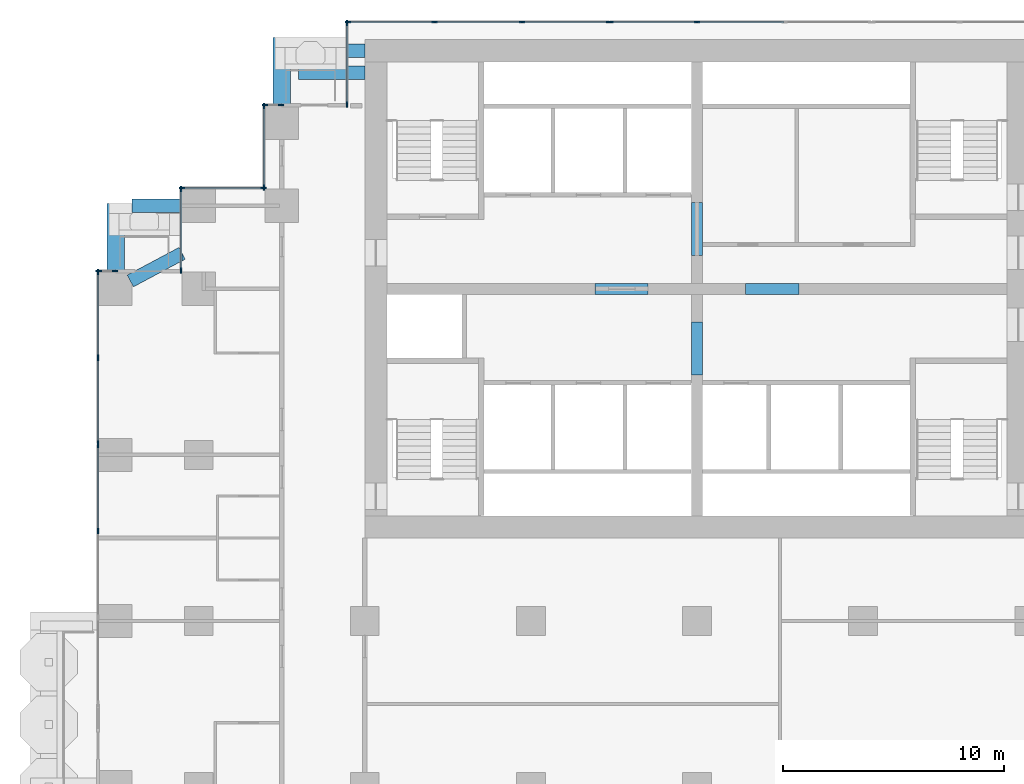
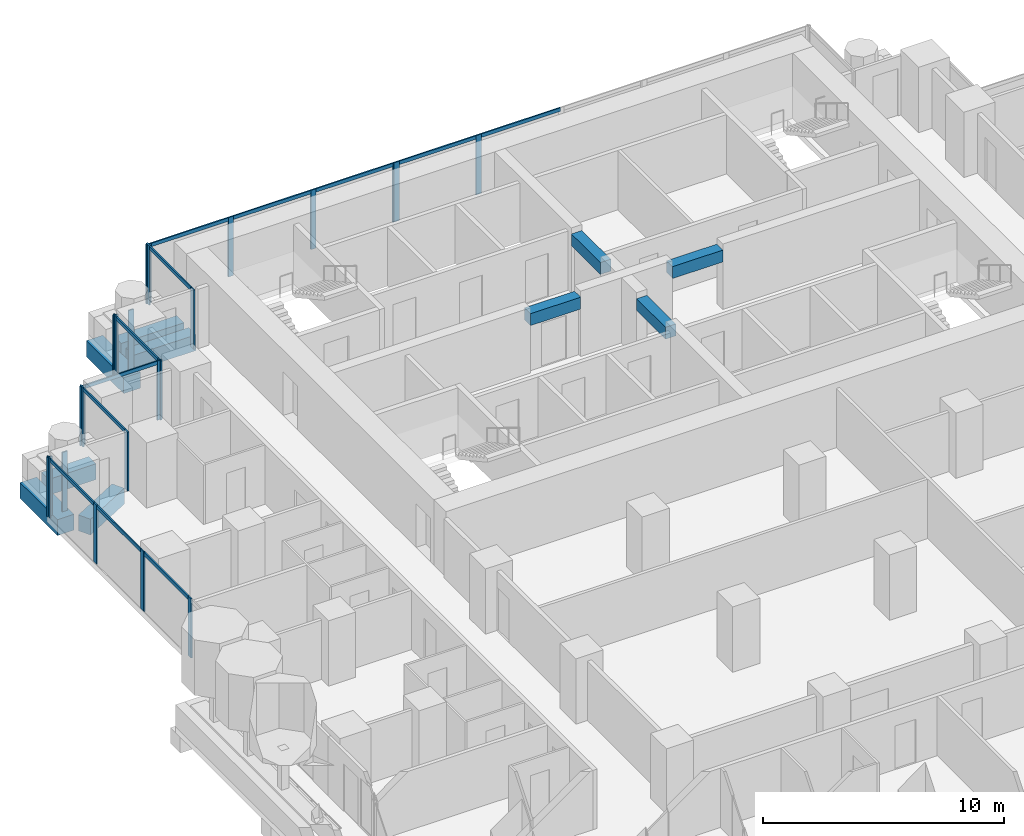
# One storey, part 5 of 19: 35 members, 10 beams, 10 elements without a shape of their own.
"""IFC4 building model written with IfcOpenShell, lengths in metres."""

import ifcopenshell
import ifcopenshell.guid

model = None  # the IFC model being written
_history = None  # IfcOwnerHistory: only IFC2X3 demands one
_inside = {}  # id of a spatial element -> (the spatial element, [elements in it])
_under = {}  # id of a project, library or spatial element -> (it, [spatial elements below it])
_declared = {}  # id of a project -> (the project, [libraries it declares])
_typed = {}  # id of a type object -> (the type object, [elements of that type])
_made_of = {}  # id of a material, layer set ... -> (it, [elements and type objects made of it])


def new_model(schema):
    """Start an empty IFC model of exactly this schema.

    Asked for "IFC4X3", IfcOpenShell would pick the latest addendum, in which some entities
    have other attributes; the version numbers below select the first issue.
    IFC2X3 requires an IfcOwnerHistory on every rooted entity: one is made here for all.
    """
    global model, _history
    if schema == "IFC4X3":
        model = ifcopenshell.file(schema_version=(4, 3, 0, 0))
    else:
        model = ifcopenshell.file(schema=schema)
    _inside.clear()
    _under.clear()
    _declared.clear()
    _typed.clear()
    _made_of.clear()
    _history = None
    if model.schema == "IFC2X3":
        org = make("IfcOrganization", Name="unknown")
        user = make(
            "IfcPersonAndOrganization",
            ThePerson=make("IfcPerson", FamilyName="unknown"),
            TheOrganization=org,
        )
        app = make(
            "IfcApplication",
            ApplicationDeveloper=org,
            Version="unknown",
            ApplicationFullName="unknown",
            ApplicationIdentifier="unknown",
        )
        _history = make(
            "IfcOwnerHistory",
            OwningUser=user,
            OwningApplication=app,
            ChangeAction="ADDED",
            CreationDate=0,
        )
    return model


def make(cls, **values):
    """One entity of the class cls with the attributes given. An attribute that is None is left unset."""
    return model.create_entity(
        cls, **{name: value for name, value in values.items() if value is not None}
    )


def rooted(cls, **values):
    """An entity with a GlobalId (a new one), such as an element, a storey or a relation."""
    return make(cls, GlobalId=ifcopenshell.guid.new(), OwnerHistory=_history, **values)


def si_unit(unit_type, name, prefix=None):
    """IfcSIUnit, for example si_unit("LENGTHUNIT", "METRE", prefix="MILLI")."""
    return make("IfcSIUnit", UnitType=unit_type, Prefix=prefix, Name=name)


def assignment(units):
    """IfcUnitAssignment: the units of a project."""
    return None if units is None else make("IfcUnitAssignment", Units=units)


def point(xyz):
    """IfcCartesianPoint."""
    return None if xyz is None else make("IfcCartesianPoint", Coordinates=xyz)


def direction(xyz):
    """IfcDirection."""
    return None if xyz is None else make("IfcDirection", DirectionRatios=xyz)


def frame(location, z_axis=None, x_axis=None):
    """IfcAxis2Placement3D, a coordinate frame: its origin and axes. An axis left out is left unset."""
    return make(
        "IfcAxis2Placement3D",
        Location=point(location),
        Axis=direction(z_axis),
        RefDirection=direction(x_axis),
    )


def frame_2d(location, x_axis=None):
    """IfcAxis2Placement2D, a coordinate frame in the plane: its origin and x axis."""
    return make(
        "IfcAxis2Placement2D", Location=point(location), RefDirection=direction(x_axis)
    )


def origin():
    """The frame at (0, 0, 0) with its axes left unset."""
    return frame((0.0, 0.0, 0.0))


def origin_2d():
    """The frame at (0, 0) in the plane with its x axis left unset."""
    return frame_2d((0.0, 0.0))


def place(relative_to, where):
    """IfcLocalPlacement: puts the frame where relative to a parent placement (None: the world)."""
    return make(
        "IfcLocalPlacement", PlacementRelTo=relative_to, RelativePlacement=where
    )


def context(
    kind, dimensions, precision=None, world=None, true_north=None, identifier=None
):
    """IfcGeometricRepresentationContext, for example the 3D "Model" context."""
    return make(
        "IfcGeometricRepresentationContext",
        ContextIdentifier=identifier,
        ContextType=kind,
        CoordinateSpaceDimension=dimensions,
        Precision=precision,
        WorldCoordinateSystem=world,
        TrueNorth=true_north,
    )


def subcontext(parent, identifier, kind, view, scale=None):
    """IfcGeometricRepresentationSubContext, for example "Body" below "Model"."""
    return make(
        "IfcGeometricRepresentationSubContext",
        ContextIdentifier=identifier,
        ContextType=kind,
        ParentContext=parent,
        TargetScale=scale,
        TargetView=view,
    )


def project(units=None, contexts=None):
    """IfcProject with its units and contexts."""
    return rooted(
        "IfcProject",
        Name="project",
        RepresentationContexts=contexts,
        UnitsInContext=assignment(units),
    )


def spatial(cls, under=None, at=None, **own):
    """A site, building, storey or space (cls), placed at a placement, below another one or the project."""
    s = rooted(cls, ObjectPlacement=at, **own)
    if under is not None:
        _under.setdefault(under.id(), (under, []))[1].append(s)
    return s


def profile(cls, at=None, kind="AREA", **sizes):
    """A parametric profile (cls). Its sizes go by their IFC names, for example OverallWidth=200.0."""
    return make(cls, ProfileType=kind, Position=at, **sizes)


def rectangle(**sizes):
    """IfcRectangleProfileDef."""
    return profile("IfcRectangleProfileDef", **sizes)


def extrude(swept, where, along, depth):
    """IfcExtrudedAreaSolid: the profile swept, set in the frame where, extruded along a direction by depth."""
    return make(
        "IfcExtrudedAreaSolid",
        SweptArea=swept,
        Position=where,
        ExtrudedDirection=direction(along),
        Depth=depth,
    )


def shape(context_of_items, identifier, shape_type, items):
    """IfcShapeRepresentation: the items that make up one representation, for example the "Body"."""
    return make(
        "IfcShapeRepresentation",
        ContextOfItems=context_of_items,
        RepresentationIdentifier=identifier,
        RepresentationType=shape_type,
        Items=items,
    )


def material(Name=None, Category=None):
    """IfcMaterial."""
    return make("IfcMaterial", Name=Name, Category=Category)


def material_profile(
    of_material, cross_section, Name=None, Category=None, Priority=None
):
    """IfcMaterialProfile: a cross section and its material."""
    return make(
        "IfcMaterialProfile",
        Name=Name,
        Material=of_material,
        Profile=cross_section,
        Priority=Priority,
        Category=Category,
    )


def profile_set(profiles, Name=None, composite=None):
    """IfcMaterialProfileSet."""
    return make(
        "IfcMaterialProfileSet",
        Name=Name,
        MaterialProfiles=profiles,
        CompositeProfile=composite,
    )


def made_of(thing, what):
    """Note that an element or type object is made of a material, layer set ...; save() writes the relation."""
    if what is not None:
        _made_of.setdefault(what.id(), (what, []))[1].append(thing)
    return thing


def type_object(cls, material=None, **own):
    """A type object (cls), such as IfcWallType, which elements share."""
    return made_of(rooted(cls, **own), material)


def element(
    cls,
    number,
    at=None,
    inside=None,
    cuts=None,
    type_object=None,
    material=None,
    context=None,
    identifier="Body",
    shape_type=None,
    held_by="IfcProductDefinitionShape",
    body=None,
    shapes=None,
    **own,
):
    """One element of the class cls, such as IfcWall. Its Tag is "e" and its number.

    at: its placement. inside: the storey or other place that contains it. cuts: it is an
    opening in that element (IfcRelVoidsElement). A single representation is given by context,
    identifier, shape_type and body (its items); several are given by shapes. held_by: the class
    of the entity that holds the representations. save() writes the other relations.
    """
    e = rooted(cls, Tag="e%d" % number, ObjectPlacement=at, **own)
    if body is not None:
        shapes = [shape(context, identifier, shape_type, body)]
    if shapes is not None:
        e.Representation = make(held_by, Representations=shapes)
    if inside is not None:
        _inside.setdefault(inside.id(), (inside, []))[1].append(e)
    if cuts is not None:
        rooted(
            "IfcRelVoidsElement", RelatingBuildingElement=cuts, RelatedOpeningElement=e
        )
    if type_object is not None:
        _typed.setdefault(type_object.id(), (type_object, []))[1].append(e)
    return made_of(e, material)


def aggregate(whole, parts):
    """IfcRelAggregates: a whole, such as a stair, and the parts it consists of."""
    return rooted("IfcRelAggregates", RelatingObject=whole, RelatedObjects=parts)


def save(model, path):
    """Write the relations noted so far, then the file.

    IfcRelAggregates (storeys below a building ...), IfcRelContainedInSpatialStructure (elements
    in a storey), IfcRelDefinesByType, IfcRelAssociatesMaterial and IfcRelDeclares: one each for
    every whole, place, type object, material and project.
    """
    for whole, parts in _under.values():
        aggregate(whole, parts)
    for where, things in _inside.values():
        rooted(
            "IfcRelContainedInSpatialStructure",
            RelatedElements=things,
            RelatingStructure=where,
        )
    for kind, things in _typed.values():
        rooted("IfcRelDefinesByType", RelatedObjects=things, RelatingType=kind)
    for what, things in _made_of.values():
        rooted("IfcRelAssociatesMaterial", RelatedObjects=things, RelatingMaterial=what)
    for by, libraries in _declared.values():
        rooted("IfcRelDeclares", RelatingContext=by, RelatedDefinitions=libraries)
    model.write(path)


model = new_model("IFC4")

# Units and contexts
model_context = context("Model", 3, precision=1e-05, world=origin(), true_north=direction((0.0, 1.0)))
body_context = subcontext(model_context, "Body", "Model", "MODEL_VIEW")
ifc_project = project(units=[si_unit("LENGTHUNIT", "METRE"), si_unit("AREAUNIT", "SQUARE_METRE"), si_unit("VOLUMEUNIT", "CUBIC_METRE"), si_unit("PLANEANGLEUNIT", "RADIAN"), si_unit("MASSUNIT", "GRAM", prefix="KILO")], contexts=[model_context])

# Site, building, storey
site_placement = place(None, origin())
site = spatial("IfcSite", under=ifc_project, at=site_placement, CompositionType="ELEMENT")
building_placement = place(site_placement, origin())
building = spatial("IfcBuilding", under=site, at=building_placement, Name="Pilkhan Gate Tower", CompositionType="ELEMENT")
storey_placement = place(building_placement, frame((0.0, 0.0, 59.300048828125)))
storey = spatial("IfcBuildingStorey", under=building, at=storey_placement, Name="L12", CompositionType="ELEMENT", Elevation=59.300048828125)

# Beams
ifc_material_1 = material(Name="Concrete C50/60", Category="concrete")
ifc_material_profile_1 = material_profile(ifc_material_1, rectangle(XDim=0.60009765625, YDim=0.800048828125, at=origin_2d()), Name="RC 600x800")
ifc_profile_set_1 = profile_set([ifc_material_profile_1], Name="Concrete C50/60")
beam_type_1 = type_object("IfcBeamType", Name="Cantilever beam CB1 RC 600x800 C50/60", PredefinedType="BEAM", material=ifc_profile_set_1)
for number, where, z_axis, x_axis, name in (
    (1, (60.0, 93.25, -0.699951171875), (-1.0, 0.0, 0.0), (0.0, -1.0, 0.0), "Balcony beam NW.2 L12"),
    (2, (60.0, 92.25, -0.699951171875), (-1.0, 0.0, 0.0), (0.0, -1.0, 0.0), "Balcony beam NW.3 L12"),
):
    element("IfcBeam", number, at=place(storey_placement, frame(where, z_axis=z_axis, x_axis=x_axis)), inside=storey, type_object=beam_type_1, Name=name, PredefinedType="BEAM", context=body_context, shape_type="SweptSolid", body=[
        extrude(rectangle(XDim=0.60009765625, YDim=0.800048828125, at=origin_2d()), origin(), (0.0, 0.0, 1.0), 3.0),
    ])
beam_1_placement = place(storey_placement, frame((51.75, 86.25, -0.699951171875), z_axis=(-1.0, 0.0, 0.0), x_axis=(0.0, -1.0, 0.0)))
element("IfcBeam", 3, at=beam_1_placement, inside=storey, type_object=beam_type_1, Name="Balcony beam NW2.2 L12", PredefinedType="BEAM", context=body_context, shape_type="SweptSolid", body=[
    extrude(rectangle(XDim=0.60009765625, YDim=0.800048828125, at=origin_2d()), origin(), (0.0, 0.0, 1.0), 2.25),
])
beam_2_placement = place(storey_placement, frame((49.411865234375, 82.85302734375, -0.699951171875), z_axis=(0.882342739565, 0.470607362817, 0.0), x_axis=(-0.470607362817, 0.882342739565, 0.0)))
element("IfcBeam", 4, at=beam_2_placement, inside=storey, type_object=beam_type_1, Name="Balcony beam NW2.3 L12", PredefinedType="BEAM", context=body_context, shape_type="SweptSolid", body=[
    extrude(rectangle(XDim=0.60009765625, YDim=0.800048828125, at=origin_2d()), origin(), (0.0, 0.0, 1.0), 2.64990234375),
])
ifc_material_profile_2 = material_profile(ifc_material_1, rectangle(XDim=0.800048828125, YDim=0.800048828125, at=origin_2d()), Name="RC 800x800")
ifc_profile_set_2 = profile_set([ifc_material_profile_2], Name="Concrete C50/60")
beam_type_2 = type_object("IfcBeamType", Name="Cantilever beam CB2 RC 800x800 C50/60", PredefinedType="BEAM", material=ifc_profile_set_2)
for number, where, z_axis, x_axis, name in (
    (5, (56.25, 90.75, -0.699951171875), (0.0, 1.0, 0.0), (-1.0, 0.0, 0.0), "Balcony beam NW.1 L12"),
    (6, (48.75, 83.25, -0.699951171875), (0.0, 1.0, 0.0), (-1.0, 0.0, 0.0), "Balcony beam NW2.1 L12"),
):
    element("IfcBeam", number, at=place(storey_placement, frame(where, z_axis=z_axis, x_axis=x_axis)), inside=storey, type_object=beam_type_2, Name=name, PredefinedType="BEAM", context=body_context, shape_type="SweptSolid", body=[
        extrude(rectangle(XDim=0.800048828125, YDim=0.800048828125, at=origin_2d()), origin(), (0.0, 0.0, 1.0), 3.10009765625),
    ])
ifc_material_2 = material(Name="Concrete C70/85", Category="concrete")
ifc_material_profile_3 = material_profile(ifc_material_2, rectangle(XDim=0.5, YDim=0.60009765625, at=origin_2d()), Name="RC 500x600")
ifc_profile_set_3 = profile_set([ifc_material_profile_3], Name="Concrete C70/85")
beam_type_3 = type_object("IfcBeamType", Name="Coupling beam CB60 RC 500x600 C70/85", PredefinedType="LINTEL", material=ifc_profile_set_3)
for number, where, z_axis, x_axis, name in (
    (7, (70.39990234375, 82.5, 2.699951171875), (1.0, 0.0, 0.0), (0.0, 1.0, 0.0), "Coupling beam 1 L12"),
    (8, (77.199951171875, 82.5, 2.699951171875), (1.0, 0.0, 0.0), (0.0, 1.0, 0.0), "Coupling beam 2 L12"),
):
    element("IfcBeam", number, at=place(storey_placement, frame(where, z_axis=z_axis, x_axis=x_axis)), inside=storey, type_object=beam_type_3, Name=name, PredefinedType="LINTEL", context=body_context, shape_type="SweptSolid", body=[
        extrude(rectangle(XDim=0.5, YDim=0.60009765625, at=origin_2d()), origin(), (0.0, 0.0, 1.0), 2.400146484375),
    ])
for number, where, z_axis, x_axis, name in (
    (9, (75.0, 78.60009765625, 2.699951171875), (0.0, 1.0, 0.0), (-1.0, 0.0, 0.0), "Coupling beam 3 L12"),
    (10, (75.0, 84.0, 2.699951171875), (0.0, 1.0, 0.0), (-1.0, 0.0, 0.0), "Coupling beam 4 L12"),
):
    element("IfcBeam", number, at=place(storey_placement, frame(where, z_axis=z_axis, x_axis=x_axis)), inside=storey, type_object=beam_type_3, Name=name, PredefinedType="LINTEL", context=body_context, shape_type="SweptSolid", body=[
        extrude(rectangle(XDim=0.5, YDim=0.60009765625, at=origin_2d()), origin(), (0.0, 0.0, 1.0), 2.39990234375),
    ])

# Curtain wall, members
ifc_material_3 = material(Name="Pale anodised aluminium, clear low-iron double glazing", Category="aluminium")
curtain_wall_type = type_object("IfcCurtainWallType", Name="Hotel unitised curtain wall CW-H", PredefinedType="USERDEFINED", material=ifc_material_3)
curtain_wall_1_placement = place(storey_placement, origin())
curtain_wall_1 = element("IfcCurtainWall", 11, at=curtain_wall_1_placement, inside=storey, type_object=curtain_wall_type, Name="Hotel unitised curtain wall CW-H L12 N", ObjectType="UNITISED CURTAIN WALL", PredefinedType="USERDEFINED")
ifc_material_4 = material(Name="Pale anodised aluminium", Category="aluminium")
ifc_material_profile_4 = material_profile(ifc_material_4, rectangle(XDim=0.06494140625, YDim=0.25, at=origin_2d()), Name="Mullion 250x65")
ifc_profile_set_4 = profile_set([ifc_material_profile_4], Name="Pale anodised aluminium")
member_type_1 = type_object("IfcMemberType", Name="Mullion CW-H 250x65", PredefinedType="MULLION", material=ifc_profile_set_4)
member_1_placement = place(storey_placement, frame((59.237548828125, 94.544921875, 0.0), z_axis=(0.0, 0.0, 1.0), x_axis=(0.0, 1.0, 0.0)))
member_1 = element("IfcMember", 12, at=member_1_placement, type_object=member_type_1, Name="CW-H mullion 1", PredefinedType="MULLION", context=body_context, shape_type="SweptSolid", body=[
    extrude(rectangle(XDim=0.06494140625, YDim=0.25, at=origin_2d()), origin(), (0.0, 0.0, 1.0), 3.0),
])
member_2_placement = place(storey_placement, frame((63.15380859375, 94.544921875, 0.0), z_axis=(0.0, 0.0, 1.0), x_axis=(0.0, 1.0, 0.0)))
member_2 = element("IfcMember", 13, at=member_2_placement, type_object=member_type_1, Name="CW-H mullion 2", PredefinedType="MULLION", context=body_context, shape_type="SweptSolid", body=[
    extrude(rectangle(XDim=0.06494140625, YDim=0.25, at=origin_2d()), origin(), (0.0, 0.0, 1.0), 3.0),
])
member_3_placement = place(storey_placement, frame((67.1025390625, 94.544921875, 0.0), z_axis=(0.0, 0.0, 1.0), x_axis=(0.0, 1.0, 0.0)))
member_3 = element("IfcMember", 14, at=member_3_placement, type_object=member_type_1, Name="CW-H mullion 3", PredefinedType="MULLION", context=body_context, shape_type="SweptSolid", body=[
    extrude(rectangle(XDim=0.06494140625, YDim=0.25, at=origin_2d()), origin(), (0.0, 0.0, 1.0), 3.0),
])
member_4_placement = place(storey_placement, frame((71.018798828125, 94.544921875, 0.0), z_axis=(0.0, 0.0, 1.0), x_axis=(0.0, 1.0, 0.0)))
member_4 = element("IfcMember", 15, at=member_4_placement, type_object=member_type_1, Name="CW-H mullion 4", PredefinedType="MULLION", context=body_context, shape_type="SweptSolid", body=[
    extrude(rectangle(XDim=0.06494140625, YDim=0.25, at=origin_2d()), origin(), (0.0, 0.0, 1.0), 3.0),
])

curtain_wall_2_placement = place(storey_placement, origin())
curtain_wall_2 = element("IfcCurtainWall", 16, at=curtain_wall_2_placement, inside=storey, type_object=curtain_wall_type, Name="Hotel unitised curtain wall CW-H L12 N", ObjectType="UNITISED CURTAIN WALL", PredefinedType="USERDEFINED")
member_5_placement = place(storey_placement, frame((71.083740234375, 94.544921875, 0.0), z_axis=(0.0, 0.0, 1.0), x_axis=(0.0, 1.0, 0.0)))
member_5 = element("IfcMember", 17, at=member_5_placement, type_object=member_type_1, Name="CW-H mullion 1", PredefinedType="MULLION", context=body_context, shape_type="SweptSolid", body=[
    extrude(rectangle(XDim=0.06494140625, YDim=0.25, at=origin_2d()), origin(), (0.0, 0.0, 1.0), 3.0),
])
member_6_placement = place(storey_placement, frame((75.0, 94.544921875, 0.0), z_axis=(0.0, 0.0, 1.0), x_axis=(0.0, 1.0, 0.0)))
member_6 = element("IfcMember", 18, at=member_6_placement, type_object=member_type_1, Name="CW-H mullion 2", PredefinedType="MULLION", context=body_context, shape_type="SweptSolid", body=[
    extrude(rectangle(XDim=0.06494140625, YDim=0.25, at=origin_2d()), origin(), (0.0, 0.0, 1.0), 3.0),
])

curtain_wall_3_placement = place(storey_placement, origin())
curtain_wall_3 = element("IfcCurtainWall", 19, at=curtain_wall_3_placement, inside=storey, type_object=curtain_wall_type, Name="Hotel unitised curtain wall CW-H L12 W", ObjectType="UNITISED CURTAIN WALL", PredefinedType="USERDEFINED")
member_7_placement = place(storey_placement, frame((59.205078125, 90.827392578125, 0.0), z_axis=(0.0, 0.0, 1.0), x_axis=(-1.0, 0.0, 0.0)))
member_7 = element("IfcMember", 20, at=member_7_placement, type_object=member_type_1, Name="CW-H mullion 1", PredefinedType="MULLION", context=body_context, shape_type="SweptSolid", body=[
    extrude(rectangle(XDim=0.06494140625, YDim=0.25, at=origin_2d()), origin(), (0.0, 0.0, 1.0), 3.0),
])
member_8_placement = place(storey_placement, frame((59.205078125, 94.512451171875, 0.0), z_axis=(0.0, 0.0, 1.0), x_axis=(-1.0, 0.0, 0.0)))
member_8 = element("IfcMember", 21, at=member_8_placement, type_object=member_type_1, Name="CW-H mullion 2", PredefinedType="MULLION", context=body_context, shape_type="SweptSolid", body=[
    extrude(rectangle(XDim=0.06494140625, YDim=0.25, at=origin_2d()), origin(), (0.0, 0.0, 1.0), 3.0),
])

curtain_wall_4_placement = place(storey_placement, origin())
curtain_wall_4 = element("IfcCurtainWall", 22, at=curtain_wall_4_placement, inside=storey, type_object=curtain_wall_type, Name="Hotel unitised curtain wall CW-H L12 N", ObjectType="UNITISED CURTAIN WALL", PredefinedType="USERDEFINED")
member_9_placement = place(storey_placement, frame((55.487548828125, 90.794921875, 0.0), z_axis=(0.0, 0.0, 1.0), x_axis=(0.0, 1.0, 0.0)))
member_9 = element("IfcMember", 23, at=member_9_placement, type_object=member_type_1, Name="CW-H mullion 1", PredefinedType="MULLION", context=body_context, shape_type="SweptSolid", body=[
    extrude(rectangle(XDim=0.06494140625, YDim=0.25, at=origin_2d()), origin(), (0.0, 0.0, 1.0), 3.0),
])
member_10_placement = place(storey_placement, frame((56.217529296875, 90.794921875, 0.0), z_axis=(0.0, 0.0, 1.0), x_axis=(0.0, 1.0, 0.0)))
member_10 = element("IfcMember", 24, at=member_10_placement, type_object=member_type_1, Name="CW-H mullion 2", PredefinedType="MULLION", context=body_context, shape_type="SweptSolid", body=[
    extrude(rectangle(XDim=0.06494140625, YDim=0.25, at=origin_2d()), origin(), (0.0, 0.0, 1.0), 3.0),
])
aggregate(curtain_wall_4, [member_9, member_10])

curtain_wall_5_placement = place(storey_placement, origin())
curtain_wall_5 = element("IfcCurtainWall", 25, at=curtain_wall_5_placement, inside=storey, type_object=curtain_wall_type, Name="Hotel unitised curtain wall CW-H L12 W", ObjectType="UNITISED CURTAIN WALL", PredefinedType="USERDEFINED")
member_11_placement = place(storey_placement, frame((55.455078125, 87.077392578125, 0.0), z_axis=(0.0, 0.0, 1.0), x_axis=(-1.0, 0.0, 0.0)))
member_11 = element("IfcMember", 26, at=member_11_placement, type_object=member_type_1, Name="CW-H mullion 1", PredefinedType="MULLION", context=body_context, shape_type="SweptSolid", body=[
    extrude(rectangle(XDim=0.06494140625, YDim=0.25, at=origin_2d()), origin(), (0.0, 0.0, 1.0), 3.0),
])
member_12_placement = place(storey_placement, frame((55.455078125, 90.762451171875, 0.0), z_axis=(0.0, 0.0, 1.0), x_axis=(-1.0, 0.0, 0.0)))
member_12 = element("IfcMember", 27, at=member_12_placement, type_object=member_type_1, Name="CW-H mullion 2", PredefinedType="MULLION", context=body_context, shape_type="SweptSolid", body=[
    extrude(rectangle(XDim=0.06494140625, YDim=0.25, at=origin_2d()), origin(), (0.0, 0.0, 1.0), 3.0),
])

curtain_wall_6_placement = place(storey_placement, origin())
curtain_wall_6 = element("IfcCurtainWall", 28, at=curtain_wall_6_placement, inside=storey, type_object=curtain_wall_type, Name="Hotel unitised curtain wall CW-H L12 N", ObjectType="UNITISED CURTAIN WALL", PredefinedType="USERDEFINED")
member_13_placement = place(storey_placement, frame((51.737548828125, 87.044921875, 0.0), z_axis=(0.0, 0.0, 1.0), x_axis=(0.0, 1.0, 0.0)))
member_13 = element("IfcMember", 29, at=member_13_placement, type_object=member_type_1, Name="CW-H mullion 1", PredefinedType="MULLION", context=body_context, shape_type="SweptSolid", body=[
    extrude(rectangle(XDim=0.06494140625, YDim=0.25, at=origin_2d()), origin(), (0.0, 0.0, 1.0), 3.0),
])
member_14_placement = place(storey_placement, frame((55.422607421875, 87.044921875, 0.0), z_axis=(0.0, 0.0, 1.0), x_axis=(0.0, 1.0, 0.0)))
member_14 = element("IfcMember", 30, at=member_14_placement, type_object=member_type_1, Name="CW-H mullion 2", PredefinedType="MULLION", context=body_context, shape_type="SweptSolid", body=[
    extrude(rectangle(XDim=0.06494140625, YDim=0.25, at=origin_2d()), origin(), (0.0, 0.0, 1.0), 3.0),
])

curtain_wall_7_placement = place(storey_placement, origin())
curtain_wall_7 = element("IfcCurtainWall", 31, at=curtain_wall_7_placement, inside=storey, type_object=curtain_wall_type, Name="Hotel unitised curtain wall CW-H L12 W", ObjectType="UNITISED CURTAIN WALL", PredefinedType="USERDEFINED")
member_15_placement = place(storey_placement, frame((51.705078125, 83.327392578125, 0.0), z_axis=(0.0, 0.0, 1.0), x_axis=(-1.0, 0.0, 0.0)))
member_15 = element("IfcMember", 32, at=member_15_placement, type_object=member_type_1, Name="CW-H mullion 1", PredefinedType="MULLION", context=body_context, shape_type="SweptSolid", body=[
    extrude(rectangle(XDim=0.06494140625, YDim=0.25, at=origin_2d()), origin(), (0.0, 0.0, 1.0), 3.0),
])
member_16_placement = place(storey_placement, frame((51.705078125, 87.012451171875, 0.0), z_axis=(0.0, 0.0, 1.0), x_axis=(-1.0, 0.0, 0.0)))
member_16 = element("IfcMember", 33, at=member_16_placement, type_object=member_type_1, Name="CW-H mullion 2", PredefinedType="MULLION", context=body_context, shape_type="SweptSolid", body=[
    extrude(rectangle(XDim=0.06494140625, YDim=0.25, at=origin_2d()), origin(), (0.0, 0.0, 1.0), 3.0),
])

curtain_wall_8_placement = place(storey_placement, origin())
curtain_wall_8 = element("IfcCurtainWall", 34, at=curtain_wall_8_placement, inside=storey, type_object=curtain_wall_type, Name="Hotel unitised curtain wall CW-H L12 N", ObjectType="UNITISED CURTAIN WALL", PredefinedType="USERDEFINED")
member_17_placement = place(storey_placement, frame((47.987548828125, 83.294921875, 0.0), z_axis=(0.0, 0.0, 1.0), x_axis=(0.0, 1.0, 0.0)))
member_17 = element("IfcMember", 35, at=member_17_placement, type_object=member_type_1, Name="CW-H mullion 1", PredefinedType="MULLION", context=body_context, shape_type="SweptSolid", body=[
    extrude(rectangle(XDim=0.06494140625, YDim=0.25, at=origin_2d()), origin(), (0.0, 0.0, 1.0), 3.0),
])
member_18_placement = place(storey_placement, frame((48.717529296875, 83.294921875, 0.0), z_axis=(0.0, 0.0, 1.0), x_axis=(0.0, 1.0, 0.0)))
member_18 = element("IfcMember", 36, at=member_18_placement, type_object=member_type_1, Name="CW-H mullion 2", PredefinedType="MULLION", context=body_context, shape_type="SweptSolid", body=[
    extrude(rectangle(XDim=0.06494140625, YDim=0.25, at=origin_2d()), origin(), (0.0, 0.0, 1.0), 3.0),
])
aggregate(curtain_wall_8, [member_17, member_18])

curtain_wall_9_placement = place(storey_placement, origin())
curtain_wall_9 = element("IfcCurtainWall", 37, at=curtain_wall_9_placement, inside=storey, type_object=curtain_wall_type, Name="Hotel unitised curtain wall CW-H L12 W", ObjectType="UNITISED CURTAIN WALL", PredefinedType="USERDEFINED")
member_19_placement = place(storey_placement, frame((47.955078125, 71.568115234375, 0.0), z_axis=(0.0, 0.0, 1.0), x_axis=(-1.0, 0.0, 0.0)))
member_19 = element("IfcMember", 38, at=member_19_placement, type_object=member_type_1, Name="CW-H mullion 3", PredefinedType="MULLION", context=body_context, shape_type="SweptSolid", body=[
    extrude(rectangle(XDim=0.06494140625, YDim=0.25, at=origin_2d()), origin(), (0.0, 0.0, 1.0), 3.0),
])
member_20_placement = place(storey_placement, frame((47.955078125, 75.444580078125, 0.0), z_axis=(0.0, 0.0, 1.0), x_axis=(-1.0, 0.0, 0.0)))
member_20 = element("IfcMember", 39, at=member_20_placement, type_object=member_type_1, Name="CW-H mullion 4", PredefinedType="MULLION", context=body_context, shape_type="SweptSolid", body=[
    extrude(rectangle(XDim=0.06494140625, YDim=0.25, at=origin_2d()), origin(), (0.0, 0.0, 1.0), 3.0),
])

curtain_wall_10_placement = place(storey_placement, origin())
curtain_wall_10 = element("IfcCurtainWall", 40, at=curtain_wall_10_placement, inside=storey, type_object=curtain_wall_type, Name="Hotel unitised curtain wall CW-H L12 W", ObjectType="UNITISED CURTAIN WALL", PredefinedType="USERDEFINED")
member_21_placement = place(storey_placement, frame((47.955078125, 75.509521484375, 0.0), z_axis=(0.0, 0.0, 1.0), x_axis=(-1.0, 0.0, 0.0)))
member_21 = element("IfcMember", 41, at=member_21_placement, type_object=member_type_1, Name="CW-H mullion 1", PredefinedType="MULLION", context=body_context, shape_type="SweptSolid", body=[
    extrude(rectangle(XDim=0.06494140625, YDim=0.25, at=origin_2d()), origin(), (0.0, 0.0, 1.0), 3.0),
])
member_22_placement = place(storey_placement, frame((47.955078125, 79.385986328125, 0.0), z_axis=(0.0, 0.0, 1.0), x_axis=(-1.0, 0.0, 0.0)))
member_22 = element("IfcMember", 42, at=member_22_placement, type_object=member_type_1, Name="CW-H mullion 2", PredefinedType="MULLION", context=body_context, shape_type="SweptSolid", body=[
    extrude(rectangle(XDim=0.06494140625, YDim=0.25, at=origin_2d()), origin(), (0.0, 0.0, 1.0), 3.0),
])
member_23_placement = place(storey_placement, frame((47.955078125, 83.262451171875, 0.0), z_axis=(0.0, 0.0, 1.0), x_axis=(-1.0, 0.0, 0.0)))
member_23 = element("IfcMember", 43, at=member_23_placement, type_object=member_type_1, Name="CW-H mullion 3", PredefinedType="MULLION", context=body_context, shape_type="SweptSolid", body=[
    extrude(rectangle(XDim=0.06494140625, YDim=0.25, at=origin_2d()), origin(), (0.0, 0.0, 1.0), 3.0),
])

# Member
ifc_material_profile_5 = material_profile(ifc_material_4, rectangle(XDim=0.06494140625, YDim=0.179931640625, at=origin_2d()), Name="Transom 180x65")
ifc_profile_set_5 = profile_set([ifc_material_profile_5], Name="Pale anodised aluminium")
member_type_2 = type_object("IfcMemberType", Name="Transom CW-H 180x65", PredefinedType="USERDEFINED", material=ifc_profile_set_5)
member_24_placement = place(storey_placement, frame((59.27001953125, 94.544921875, 2.909912109375), z_axis=(1.0, 0.0, 0.0), x_axis=(0.0, 1.0, 0.0)))
member_24 = element("IfcMember", 44, at=member_24_placement, type_object=member_type_2, Name="CW-H transom 1", ObjectType="TRANSOM", PredefinedType="USERDEFINED", context=body_context, shape_type="SweptSolid", body=[
    extrude(rectangle(XDim=0.06494140625, YDim=0.179931640625, at=origin_2d()), origin(), (0.0, 0.0, 1.0), 3.851318359375),
])

member_25_placement = place(storey_placement, frame((63.186279296875, 94.544921875, 2.909912109375), z_axis=(1.0, 0.0, 0.0), x_axis=(0.0, 1.0, 0.0)))
member_25 = element("IfcMember", 45, at=member_25_placement, type_object=member_type_2, Name="CW-H transom 2", ObjectType="TRANSOM", PredefinedType="USERDEFINED", context=body_context, shape_type="SweptSolid", body=[
    extrude(rectangle(XDim=0.06494140625, YDim=0.179931640625, at=origin_2d()), origin(), (0.0, 0.0, 1.0), 3.8837890625),
])

member_26_placement = place(storey_placement, frame((67.135009765625, 94.544921875, 2.909912109375), z_axis=(1.0, 0.0, 0.0), x_axis=(0.0, 1.0, 0.0)))
member_26 = element("IfcMember", 46, at=member_26_placement, type_object=member_type_2, Name="CW-H transom 3", ObjectType="TRANSOM", PredefinedType="USERDEFINED", context=body_context, shape_type="SweptSolid", body=[
    extrude(rectangle(XDim=0.06494140625, YDim=0.179931640625, at=origin_2d()), origin(), (0.0, 0.0, 1.0), 3.851318359375),
])

aggregate(curtain_wall_1, [member_1, member_2, member_3, member_4, member_24, member_25, member_26])

member_27_placement = place(storey_placement, frame((71.1162109375, 94.544921875, 2.909912109375), z_axis=(1.0, 0.0, 0.0), x_axis=(0.0, 1.0, 0.0)))
member_27 = element("IfcMember", 47, at=member_27_placement, type_object=member_type_2, Name="CW-H transom 1", ObjectType="TRANSOM", PredefinedType="USERDEFINED", context=body_context, shape_type="SweptSolid", body=[
    extrude(rectangle(XDim=0.06494140625, YDim=0.179931640625, at=origin_2d()), origin(), (0.0, 0.0, 1.0), 3.851318359375),
])

member_28_placement = place(storey_placement, frame((75.032470703125, 94.544921875, 2.909912109375), z_axis=(1.0, 0.0, 0.0), x_axis=(0.0, 1.0, 0.0)))
member_28 = element("IfcMember", 48, at=member_28_placement, type_object=member_type_2, Name="CW-H transom 2", ObjectType="TRANSOM", PredefinedType="USERDEFINED", context=body_context, shape_type="SweptSolid", body=[
    extrude(rectangle(XDim=0.06494140625, YDim=0.179931640625, at=origin_2d()), origin(), (0.0, 0.0, 1.0), 3.8837890625),
])

aggregate(curtain_wall_2, [member_5, member_6, member_27, member_28])

member_29_placement = place(storey_placement, frame((59.205078125, 90.860107421875, 2.909912109375), z_axis=(0.0, 1.0, 0.0), x_axis=(-1.0, 0.0, 0.0)))
member_29 = element("IfcMember", 49, at=member_29_placement, type_object=member_type_2, Name="CW-H transom 1", ObjectType="TRANSOM", PredefinedType="USERDEFINED", context=body_context, shape_type="SweptSolid", body=[
    extrude(rectangle(XDim=0.06494140625, YDim=0.179931640625, at=origin_2d()), origin(), (0.0, 0.0, 1.0), 3.619873046875),
])

aggregate(curtain_wall_3, [member_7, member_8, member_29])

member_30_placement = place(storey_placement, frame((55.455078125, 87.110107421875, 2.909912109375), z_axis=(0.0, 1.0, 0.0), x_axis=(-1.0, 0.0, 0.0)))
member_30 = element("IfcMember", 50, at=member_30_placement, type_object=member_type_2, Name="CW-H transom 1", ObjectType="TRANSOM", PredefinedType="USERDEFINED", context=body_context, shape_type="SweptSolid", body=[
    extrude(rectangle(XDim=0.06494140625, YDim=0.179931640625, at=origin_2d()), origin(), (0.0, 0.0, 1.0), 3.619873046875),
])

aggregate(curtain_wall_5, [member_11, member_12, member_30])

member_31_placement = place(storey_placement, frame((51.77001953125, 87.044921875, 2.909912109375), z_axis=(1.0, 0.0, 0.0), x_axis=(0.0, 1.0, 0.0)))
member_31 = element("IfcMember", 51, at=member_31_placement, type_object=member_type_2, Name="CW-H transom 1", ObjectType="TRANSOM", PredefinedType="USERDEFINED", context=body_context, shape_type="SweptSolid", body=[
    extrude(rectangle(XDim=0.06494140625, YDim=0.179931640625, at=origin_2d()), origin(), (0.0, 0.0, 1.0), 3.619873046875),
])

aggregate(curtain_wall_6, [member_13, member_14, member_31])

member_32_placement = place(storey_placement, frame((51.705078125, 83.360107421875, 2.909912109375), z_axis=(0.0, 1.0, 0.0), x_axis=(-1.0, 0.0, 0.0)))
member_32 = element("IfcMember", 52, at=member_32_placement, type_object=member_type_2, Name="CW-H transom 1", ObjectType="TRANSOM", PredefinedType="USERDEFINED", context=body_context, shape_type="SweptSolid", body=[
    extrude(rectangle(XDim=0.06494140625, YDim=0.179931640625, at=origin_2d()), origin(), (0.0, 0.0, 1.0), 3.619873046875),
])

aggregate(curtain_wall_7, [member_15, member_16, member_32])

member_33_placement = place(storey_placement, frame((47.955078125, 71.6005859375, 2.909912109375), z_axis=(0.0, 1.0, 0.0), x_axis=(-1.0, 0.0, 0.0)))
member_33 = element("IfcMember", 53, at=member_33_placement, type_object=member_type_2, Name="CW-H transom 3", ObjectType="TRANSOM", PredefinedType="USERDEFINED", context=body_context, shape_type="SweptSolid", body=[
    extrude(rectangle(XDim=0.06494140625, YDim=0.179931640625, at=origin_2d()), origin(), (0.0, 0.0, 1.0), 3.8115234375),
])

aggregate(curtain_wall_9, [member_19, member_20, member_33])

member_34_placement = place(storey_placement, frame((47.955078125, 75.5419921875, 2.909912109375), z_axis=(0.0, 1.0, 0.0), x_axis=(-1.0, 0.0, 0.0)))
member_34 = element("IfcMember", 54, at=member_34_placement, type_object=member_type_2, Name="CW-H transom 1", ObjectType="TRANSOM", PredefinedType="USERDEFINED", context=body_context, shape_type="SweptSolid", body=[
    extrude(rectangle(XDim=0.06494140625, YDim=0.179931640625, at=origin_2d()), origin(), (0.0, 0.0, 1.0), 3.8115234375),
])

member_35_placement = place(storey_placement, frame((47.955078125, 79.41845703125, 2.909912109375), z_axis=(0.0, 1.0, 0.0), x_axis=(-1.0, 0.0, 0.0)))
member_35 = element("IfcMember", 55, at=member_35_placement, type_object=member_type_2, Name="CW-H transom 2", ObjectType="TRANSOM", PredefinedType="USERDEFINED", context=body_context, shape_type="SweptSolid", body=[
    extrude(rectangle(XDim=0.06494140625, YDim=0.179931640625, at=origin_2d()), origin(), (0.0, 0.0, 1.0), 3.8115234375),
])

aggregate(curtain_wall_10, [member_21, member_22, member_23, member_34, member_35])

save(model, "model.ifc")
